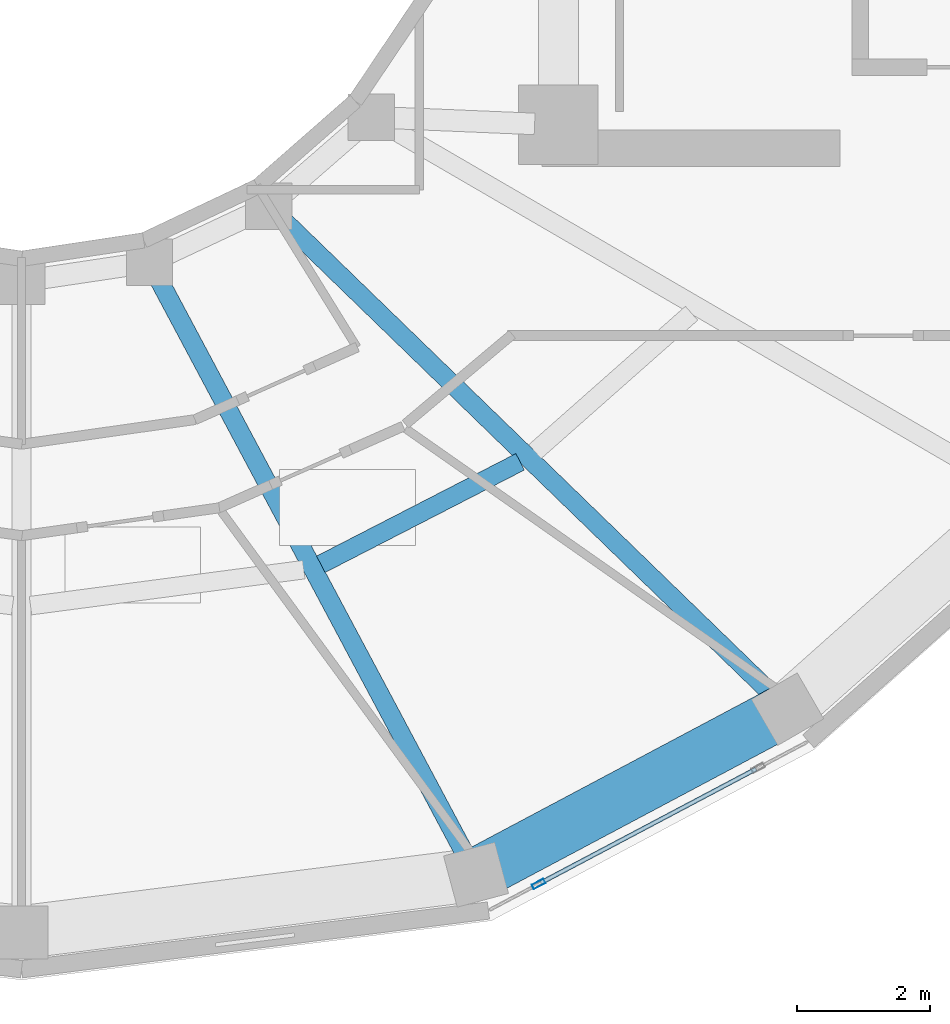
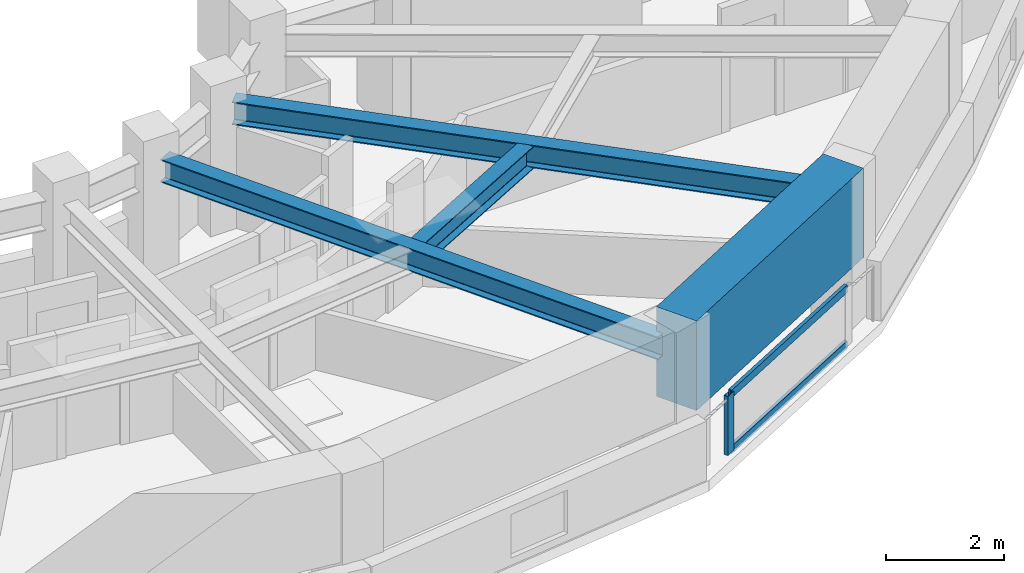
# One storey, part 4 of 17: 4 beams, 3 members, 1 element without a shape of its own.
"""IFC4 building model written with IfcOpenShell, lengths in metres."""

from ifc_helpers import new_model, si_unit, direction, frame, origin, origin_2d, place, context, subcontext, project, spatial, rectangle, hollow_rectangle, i_section, extrude, material, layer, layer_set, material_profile, profile_set, type_object, element, aggregate, save


model = new_model("IFC4")

# Units and contexts
model_context = context("Model", 3, precision=1e-05, world=origin(), true_north=direction((0.0, 1.0)))
body_context = subcontext(model_context, "Body", "Model", "MODEL_VIEW")
ifc_project = project(units=[si_unit("LENGTHUNIT", "METRE"), si_unit("AREAUNIT", "SQUARE_METRE"), si_unit("VOLUMEUNIT", "CUBIC_METRE"), si_unit("PLANEANGLEUNIT", "RADIAN"), si_unit("MASSUNIT", "GRAM", prefix="KILO")], contexts=[model_context])

# Site, building, storey
site_placement = place(None, origin())
site = spatial("IfcSite", under=ifc_project, at=site_placement, CompositionType="ELEMENT")
building_placement = place(site_placement, origin())
building = spatial("IfcBuilding", under=site, at=building_placement, Name="Solvane Sanctuary Tower", CompositionType="ELEMENT")
storey_placement = place(building_placement, frame((0.0, 0.0, 235.699951171875)))
storey = spatial("IfcBuildingStorey", under=building, at=storey_placement, Name="L72", CompositionType="ELEMENT", Elevation=235.699951171875)

# Beams
ifc_material_1 = material(Name="Steel ASTM A992 Grade 50", Category="steel")
ifc_material_profile_1 = material_profile(ifc_material_1, i_section(OverallWidth=0.282958984375, OverallDepth=0.471923828125, WebThickness=0.013671875, FlangeThickness=0.022216796875, FilletRadius=0.013916015625, at=origin_2d()), Name="W18X97")
ifc_profile_set_1 = profile_set([ifc_material_profile_1], Name="Steel ASTM A992 Grade 50")
beam_type_1 = type_object("IfcBeamType", Name="Beam B-RAD-Z4 W18X97", PredefinedType="JOIST", material=ifc_profile_set_1)
beam_1_placement = place(storey_placement, frame((34.0625, 14.581298828125, 2.362060546875), z_axis=(0.470395154587, -0.882455890422, 0.0), x_axis=(0.882455890422, 0.470395154587, 0.0)))
element("IfcBeam", 1, at=beam_1_placement, inside=storey, type_object=beam_type_1, Name="L72 Radial Composite Floor Beam 12", PredefinedType="JOIST", context=body_context, shape_type="SweptSolid", body=[
    extrude(i_section(OverallWidth=0.282958984375, OverallDepth=0.471923828125, WebThickness=0.013671875, FlangeThickness=0.022216796875, FilletRadius=0.013916015625, at=origin_2d()), origin(), (0.0, 0.0, 1.0), 9.91064453125),
])
beam_2_placement = place(storey_placement, frame((35.930908203125, 15.478515625, 2.362060546875), z_axis=(0.717931503288, -0.69611375262, 0.0), x_axis=(0.69611375262, 0.717931503288, 0.0)))
element("IfcBeam", 2, at=beam_2_placement, inside=storey, type_object=beam_type_1, Name="L72 Radial Composite Floor Beam 13", PredefinedType="JOIST", context=body_context, shape_type="SweptSolid", body=[
    extrude(i_section(OverallWidth=0.282958984375, OverallDepth=0.471923828125, WebThickness=0.013671875, FlangeThickness=0.022216796875, FilletRadius=0.013916015625, at=origin_2d()), origin(), (0.0, 0.0, 1.0), 10.339599609375),
])
ifc_material_profile_2 = material_profile(ifc_material_1, i_section(OverallWidth=0.280029296875, OverallDepth=0.462890625, WebThickness=0.0107421875, FlangeThickness=0.017333984375, FilletRadius=0.013916015625, at=origin_2d()), Name="W18X76")
ifc_profile_set_2 = profile_set([ifc_material_profile_2], Name="Steel ASTM A992 Grade 50")
beam_type_2 = type_object("IfcBeamType", Name="Beam B-SEC-JOIST W18X76", PredefinedType="JOIST", material=ifc_profile_set_2)
beam_3_placement = place(storey_placement, frame((36.514892578125, 10.27099609375, 2.366455078125), z_axis=(0.88924080122, 0.4574393921, 0.0), x_axis=(-0.4574393921, 0.88924080122, 0.0)))
element("IfcBeam", 3, at=beam_3_placement, inside=storey, type_object=beam_type_2, Name="L72 Secondary Circumferential Joist 12-13", PredefinedType="JOIST", context=body_context, shape_type="SweptSolid", body=[
    extrude(i_section(OverallWidth=0.280029296875, OverallDepth=0.462890625, WebThickness=0.0107421875, FlangeThickness=0.017333984375, FilletRadius=0.013916015625, at=origin_2d()), origin(), (0.0, 0.0, 1.0), 3.380615234375),
])
ifc_material_2 = material(Name="Concrete C70/85", Category="concrete")
ifc_material_profile_3 = material_profile(ifc_material_2, rectangle(XDim=0.800048828125, YDim=1.85009765625, at=origin_2d()), Name="RC800X1850")
ifc_profile_set_3 = profile_set([ifc_material_profile_3], Name="Concrete C70/85")
beam_type_3 = type_object("IfcBeamType", Name="Beam B-XFER-BLK RC800X1850", PredefinedType="BEAM", material=ifc_profile_set_3)
beam_4_placement = place(storey_placement, frame((38.856201171875, 5.588623046875, 2.175048828125), z_axis=(0.883020065947, 0.469335235343, 0.0), x_axis=(-0.469335235343, 0.883020065947, 0.0)))
element("IfcBeam", 4, at=beam_4_placement, inside=storey, type_object=beam_type_3, Name="L72 Perimeter Step Transfer Ring NTC12-NTC13", PredefinedType="BEAM", context=body_context, shape_type="SweptSolid", body=[
    extrude(rectangle(XDim=0.800048828125, YDim=1.85009765625, at=origin_2d()), origin(), (0.0, 0.0, 1.0), 5.321533203125),
])

# Curtain wall, members
ifc_material_3 = material(Name="Anodised Aluminium 6063-T6", Category="aluminium")
ifc_layer = layer(ifc_material_3, 0.18994140625, Name="Anodised Aluminium 6063-T6")
ifc_layer_set = layer_set([ifc_layer], Name="Anodised Aluminium 6063-T6")
curtain_wall_type = type_object("IfcCurtainWallType", Name="Curtain Wall CW-OPER", PredefinedType="NOTDEFINED", material=ifc_layer_set)
curtain_wall_placement = place(storey_placement, origin())
curtain_wall = element("IfcCurtainWall", 5, at=curtain_wall_placement, inside=storey, type_object=curtain_wall_type, Name="L72 CW-OPER Facade Run 19", PredefinedType="NOTDEFINED")
ifc_material_profile_4 = material_profile(ifc_material_3, hollow_rectangle(XDim=0.074951171875, YDim=0.199951171875, WallThickness=0.00390625, at=origin_2d()), Name="ALU200X75X4")
ifc_profile_set_4 = profile_set([ifc_material_profile_4], Name="Anodised Aluminium 6063-T6")
member_type_1 = type_object("IfcMemberType", Name="Member M-CW-MUL-1 ALU200X75X4", PredefinedType="MULLION", material=ifc_profile_set_4)
member_1_placement = place(storey_placement, frame((39.801025390625, 5.448974609375, 0.0), z_axis=(0.0, 0.0, 1.0), x_axis=(-0.467523293544, 0.883980752049, 0.0)))
member_1 = element("IfcMember", 6, at=member_1_placement, type_object=member_type_1, Name="CW-OPER mullion 1", PredefinedType="MULLION", context=body_context, shape_type="SweptSolid", body=[
    extrude(hollow_rectangle(XDim=0.074951171875, YDim=0.199951171875, WallThickness=0.00390625, at=origin_2d()), origin(), (0.0, 0.0, 1.0), 1.219970703125),
])
ifc_material_profile_5 = material_profile(ifc_material_3, hollow_rectangle(XDim=0.06494140625, YDim=0.159912109375, WallThickness=0.00341796875, at=origin_2d()), Name="ALU160X65X3.5")
ifc_profile_set_5 = profile_set([ifc_material_profile_5], Name="Anodised Aluminium 6063-T6")
member_type_2 = type_object("IfcMemberType", Name="Member M-CW-TRN-1 ALU160X65X3.5", PredefinedType="USERDEFINED", material=ifc_profile_set_5)
member_2_placement = place(storey_placement, frame((39.834228515625, 5.466552734375, 0.032470703125), z_axis=(0.883977140568, 0.467530121975, 0.0), x_axis=(-0.467530121975, 0.883977140568, 0.0)))
member_2 = element("IfcMember", 7, at=member_2_placement, type_object=member_type_2, Name="CW-OPER transom 1.1", ObjectType="TRANSOM", PredefinedType="USERDEFINED", context=body_context, shape_type="SweptSolid", body=[
    extrude(hollow_rectangle(XDim=0.06494140625, YDim=0.159912109375, WallThickness=0.00341796875, at=origin_2d()), origin(), (0.0, 0.0, 1.0), 3.67041015625),
])
member_3_placement = place(storey_placement, frame((39.834228515625, 5.466552734375, 1.1875), z_axis=(0.883977140568, 0.467530121975, 0.0), x_axis=(-0.467530121975, 0.883977140568, 0.0)))
member_3 = element("IfcMember", 8, at=member_3_placement, type_object=member_type_2, Name="CW-OPER transom 1.2", ObjectType="TRANSOM", PredefinedType="USERDEFINED", context=body_context, shape_type="SweptSolid", body=[
    extrude(hollow_rectangle(XDim=0.06494140625, YDim=0.159912109375, WallThickness=0.00341796875, at=origin_2d()), origin(), (0.0, 0.0, 1.0), 3.67041015625),
])
aggregate(curtain_wall, [member_1, member_2, member_3])

save(model, "model.ifc")
